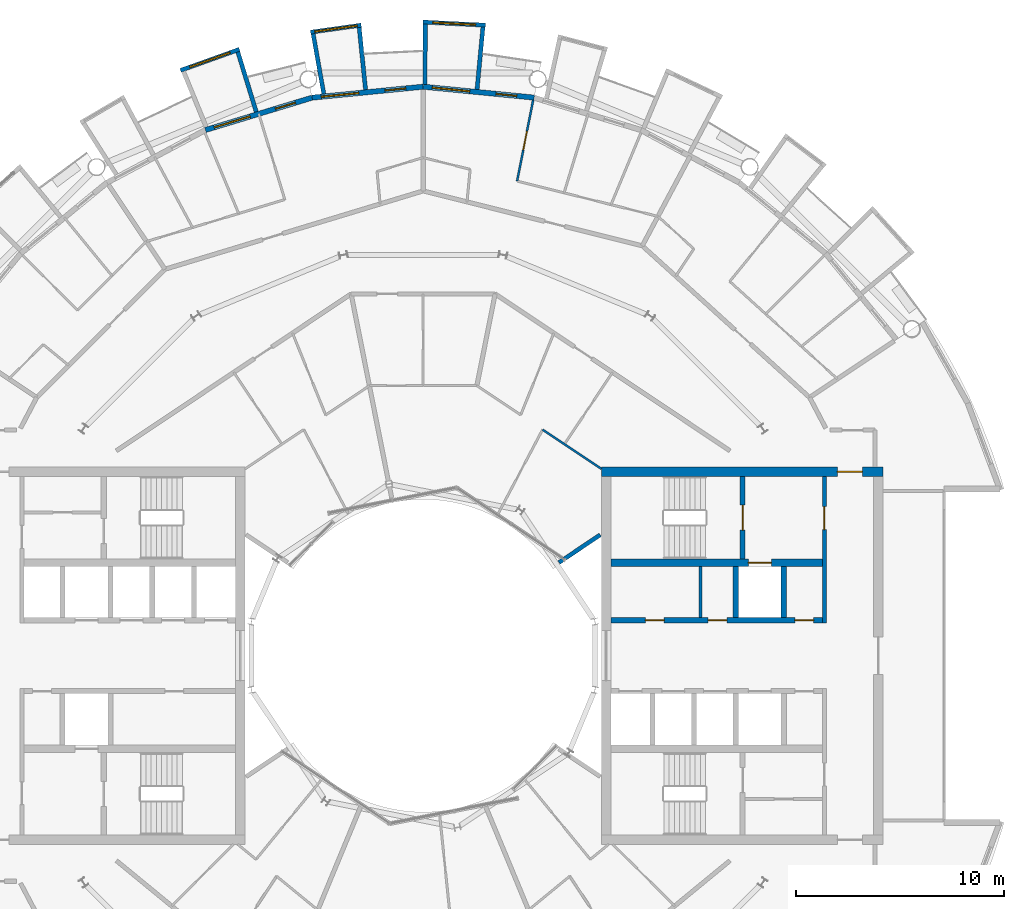
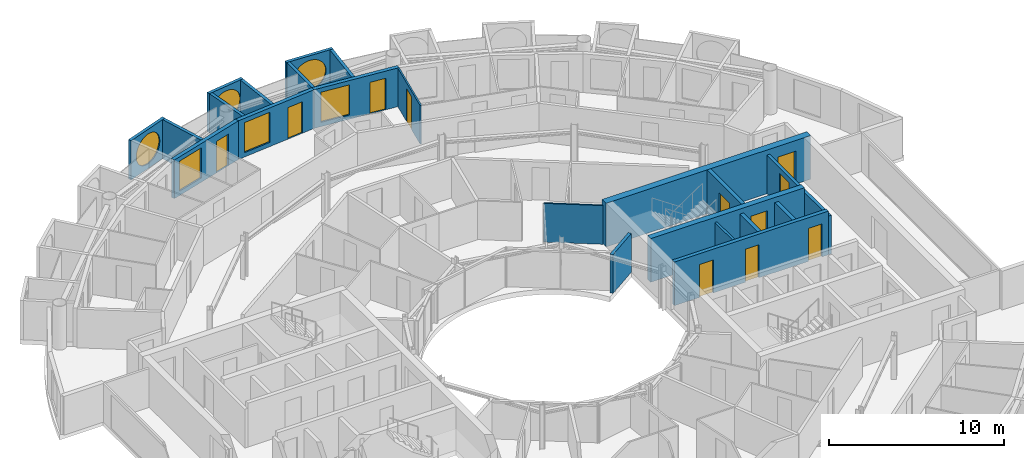
# One storey, part 22 of 28: 22 walls, 11 doors, 6 windows, 17 openings.
"""IFC4 building model written with IfcOpenShell, lengths in metres."""

from ifc_helpers import new_model, si_unit, direction, frame, frame_2d, origin, place, context, subcontext, project, spatial, rectangle, circle, extrude, material, layer, layer_set, type_object, element, fill, save


model = new_model("IFC4")

# Units and contexts
model_context = context("Model", 3, precision=1e-05, world=origin(), true_north=direction((0.0, 1.0)))
body_context = subcontext(model_context, "Body", "Model", "MODEL_VIEW")
ifc_project = project(units=[si_unit("LENGTHUNIT", "METRE"), si_unit("AREAUNIT", "SQUARE_METRE"), si_unit("VOLUMEUNIT", "CUBIC_METRE"), si_unit("PLANEANGLEUNIT", "RADIAN"), si_unit("MASSUNIT", "GRAM", prefix="KILO")], contexts=[model_context])

# Site, building, storey
site_placement = place(None, origin())
site = spatial("IfcSite", under=ifc_project, at=site_placement, CompositionType="ELEMENT")
building_placement = place(site_placement, origin())
building = spatial("IfcBuilding", under=site, at=building_placement, Name="Maasbend Ring Residences", CompositionType="ELEMENT")
storey_placement = place(building_placement, frame((0.0, 0.0, 196.300048828125)))
storey = spatial("IfcBuildingStorey", under=building, at=storey_placement, Name="L56", CompositionType="ELEMENT", Elevation=196.300048828125)

# Wall, openings, doors
ifc_material_1 = material(Name="Concrete C50/60", Category="concrete")
ifc_layer_1 = layer(ifc_material_1, 0.25)
ifc_layer_set_1 = layer_set([ifc_layer_1], Name="Concrete C50/60")
wall_type_1 = type_object("IfcWallType", Name="CORE WALL 250 C50/60", PredefinedType="SHEAR", material=ifc_layer_set_1)
wall_1_placement = place(storey_placement, frame((9.0, 1.699951171875, 0.0), z_axis=(0.0, 0.0, 1.0), x_axis=(1.0, 0.0, 0.0)))
wall_1 = element("IfcWall", 1, at=wall_1_placement, inside=storey, type_object=wall_type_1, Name="L56 core E wall SPN", PredefinedType="SHEAR", context=body_context, shape_type="SweptSolid", body=[
    extrude(rectangle(XDim=10.14990234375, YDim=0.25, at=frame_2d((5.074951171875, 0.0))), origin(), (0.0, 0.0, 1.0), 3.050048828125),
])
opening_1_placement = place(wall_1_placement, frame((1.66259765625, 0.0, 0.0)))
opening_1 = element("IfcOpeningElement", 2, at=opening_1_placement, cuts=wall_1, Name="Opening D-E5606", PredefinedType="OPENING", context=body_context, shape_type="SweptSolid", body=[
    extrude(rectangle(XDim=0.89990234375, YDim=2.300048828125, at=frame_2d((0.449951171875, 1.14990234375))), frame((0.0, 0.135009765625, 0.0), z_axis=(0.0, -1.0, 0.0), x_axis=(1.0, 0.0, 0.0)), (0.0, 0.0, 1.0), 0.27001953125),
])
opening_2_placement = place(wall_1_placement, frame((4.675048828125, 0.0, 0.0)))
opening_2 = element("IfcOpeningElement", 3, at=opening_2_placement, cuts=wall_1, Name="Opening D-E5607", PredefinedType="OPENING", context=body_context, shape_type="SweptSolid", body=[
    extrude(rectangle(XDim=0.89990234375, YDim=2.300048828125, at=frame_2d((0.449951171875, 1.14990234375))), frame((0.0, 0.135009765625, 0.0), z_axis=(0.0, -1.0, 0.0), x_axis=(1.0, 0.0, 0.0)), (0.0, 0.0, 1.0), 0.27001953125),
])
opening_3_placement = place(wall_1_placement, frame((8.83740234375, 0.0, 0.0)))
opening_3 = element("IfcOpeningElement", 4, at=opening_3_placement, cuts=wall_1, Name="Opening D-E5608", PredefinedType="OPENING", context=body_context, shape_type="SweptSolid", body=[
    extrude(rectangle(XDim=0.89990234375, YDim=2.300048828125, at=frame_2d((0.449951171875, 1.14990234375))), frame((0.0, 0.135009765625, 0.0), z_axis=(0.0, -1.0, 0.0), x_axis=(1.0, 0.0, 0.0)), (0.0, 0.0, 1.0), 0.27001953125),
])
ifc_material_2 = material(Name="Steel, powder coated", Category="steel")
door_type_1 = type_object("IfcDoorType", Name="ROOM DOOR 900 X 2300 FD30S", OperationType="NOTDEFINED", PredefinedType="DOOR", material=ifc_material_2)
door_1_placement = place(opening_1_placement, origin())
door_1 = element("IfcDoor", 5, at=door_1_placement, inside=storey, type_object=door_type_1, Name="Room door L56", OperationType="SINGLE_SWING_RIGHT", OverallHeight=2.300048828125, OverallWidth=0.89990234375, PredefinedType="DOOR", context=body_context, shape_type="SweptSolid", body=[
    extrude(rectangle(XDim=0.89990234375, YDim=2.300048828125, at=frame_2d((0.449951171875, 1.14990234375))), frame((0.0, 0.02490234375, 0.0), z_axis=(0.0, -1.0, 0.0), x_axis=(1.0, 0.0, 0.0)), (0.0, 0.0, 1.0), 0.050048828125),
])
fill(opening_1, door_1)
door_2_placement = place(opening_2_placement, origin())
door_2 = element("IfcDoor", 6, at=door_2_placement, inside=storey, type_object=door_type_1, Name="Room door L56", OperationType="SINGLE_SWING_LEFT", OverallHeight=2.300048828125, OverallWidth=0.89990234375, PredefinedType="DOOR", context=body_context, shape_type="SweptSolid", body=[
    extrude(rectangle(XDim=0.89990234375, YDim=2.300048828125, at=frame_2d((0.449951171875, 1.14990234375))), frame((0.0, 0.02490234375, 0.0), z_axis=(0.0, -1.0, 0.0), x_axis=(1.0, 0.0, 0.0)), (0.0, 0.0, 1.0), 0.050048828125),
])
fill(opening_2, door_2)
door_3_placement = place(opening_3_placement, origin())
door_3 = element("IfcDoor", 7, at=door_3_placement, inside=storey, type_object=door_type_1, Name="Room door L56", OperationType="SINGLE_SWING_LEFT", OverallHeight=2.300048828125, OverallWidth=0.89990234375, PredefinedType="DOOR", context=body_context, shape_type="SweptSolid", body=[
    extrude(rectangle(XDim=0.89990234375, YDim=2.300048828125, at=frame_2d((0.449951171875, 1.14990234375))), frame((0.0, 0.02490234375, 0.0), z_axis=(0.0, -1.0, 0.0), x_axis=(1.0, 0.0, 0.0)), (0.0, 0.0, 1.0), 0.050048828125),
])
fill(opening_3, door_3)

# Wall, opening, door
wall_2_placement = place(storey_placement, frame((15.324951171875, 4.64990234375, 0.0), z_axis=(0.0, 0.0, 1.0), x_axis=(0.0, 1.0, 0.0)))
wall_2 = element("IfcWall", 8, at=wall_2_placement, inside=storey, type_object=wall_type_1, Name="L56 core E wall STEN", PredefinedType="SHEAR", context=body_context, shape_type="SweptSolid", body=[
    extrude(rectangle(XDim=3.9501953125, YDim=0.25, at=frame_2d((1.97509765625, 0.0))), origin(), (0.0, 0.0, 1.0), 3.050048828125),
])
opening_4_placement = place(wall_2_placement, frame((1.375, 0.0, 0.0)))
opening_4 = element("IfcOpeningElement", 9, at=opening_4_placement, cuts=wall_2, Name="Opening D-E5611", PredefinedType="OPENING", context=body_context, shape_type="SweptSolid", body=[
    extrude(rectangle(XDim=1.199951171875, YDim=2.300048828125, at=frame_2d((0.60009765625, 1.14990234375))), frame((0.0, 0.135009765625, 0.0), z_axis=(0.0, -1.0, 0.0), x_axis=(1.0, 0.0, 0.0)), (0.0, 0.0, 1.0), 0.27001953125),
])
ifc_material_3 = material(Name="Steel, powder coated", Category="steel")
door_type_2 = type_object("IfcDoorType", Name="STAIR DOOR 1200 X 2300 FD60", OperationType="NOTDEFINED", PredefinedType="DOOR", material=ifc_material_3)
door_4_placement = place(opening_4_placement, origin())
door_4 = element("IfcDoor", 10, at=door_4_placement, inside=storey, type_object=door_type_2, Name="Stair door ST-E L56", OperationType="SINGLE_SWING_LEFT", OverallHeight=2.300048828125, OverallWidth=1.199951171875, PredefinedType="DOOR", context=body_context, shape_type="SweptSolid", body=[
    extrude(rectangle(XDim=1.199951171875, YDim=2.300048828125, at=frame_2d((0.60009765625, 1.14990234375))), frame((0.0, 0.02490234375, 0.0), z_axis=(0.0, -1.0, 0.0), x_axis=(1.0, 0.0, 0.0)), (0.0, 0.0, 1.0), 0.050048828125),
])
fill(opening_4, door_4)

ifc_material_4 = material(Name="Concrete C50/60", Category="concrete")
ifc_layer_2 = layer(ifc_material_4, 0.375)
ifc_layer_set_2 = layer_set([ifc_layer_2], Name="Concrete C50/60")
wall_type_2 = type_object("IfcWallType", Name="CORE WALL 375 C50/60", PredefinedType="SHEAR", material=ifc_layer_set_2)
wall_3_placement = place(storey_placement, frame((9.0, 4.46240234375, 0.0), z_axis=(0.0, 0.0, 1.0), x_axis=(1.0, 0.0, 0.0)))
wall_3 = element("IfcWall", 11, at=wall_3_placement, inside=storey, type_object=wall_type_2, Name="L56 core E wall BN", PredefinedType="SHEAR", context=body_context, shape_type="SweptSolid", body=[
    extrude(rectangle(XDim=10.14990234375, YDim=0.375, at=frame_2d((5.074951171875, 0.0))), origin(), (0.0, 0.0, 1.0), 3.050048828125),
])
opening_5_placement = place(wall_3_placement, frame((6.60009765625, 0.0, 0.0)))
opening_5 = element("IfcOpeningElement", 12, at=opening_5_placement, cuts=wall_3, Name="Opening LD-E5601", PredefinedType="OPENING", context=body_context, shape_type="SweptSolid", body=[
    extrude(rectangle(XDim=1.10009765625, YDim=2.300048828125, at=frame_2d((0.550048828125, 1.14990234375))), frame((0.0, 0.197509765625, 0.0), z_axis=(0.0, -1.0, 0.0), x_axis=(1.0, 0.0, 0.0)), (0.0, 0.0, 1.0), 0.39501953125),
])
ifc_material_5 = material(Name="Stainless steel 316", Category="steel")
door_type_3 = type_object("IfcDoorType", Name="LANDING DOOR 1100 X 2300 FD60", OperationType="DOUBLE_DOOR_SLIDING", PredefinedType="DOOR", material=ifc_material_5)
door_5_placement = place(opening_5_placement, origin())
door_5 = element("IfcDoor", 13, at=door_5_placement, inside=storey, type_object=door_type_3, Name="Landing door FF-E L56", OperationType="DOUBLE_DOOR_SLIDING", OverallHeight=2.300048828125, OverallWidth=1.10009765625, PredefinedType="DOOR", context=body_context, shape_type="SweptSolid", body=[
    extrude(rectangle(XDim=1.10009765625, YDim=2.300048828125, at=frame_2d((0.550048828125, 1.14990234375))), frame((0.0, 0.02490234375, 0.0), z_axis=(0.0, -1.0, 0.0), x_axis=(1.0, 0.0, 0.0)), (0.0, 0.0, 1.0), 0.050048828125),
])
fill(opening_5, door_5)

ifc_material_6 = material(Name="Concrete C50/60", Category="concrete")
ifc_layer_3 = layer(ifc_material_6, 0.449951171875)
ifc_layer_set_3 = layer_set([ifc_layer_3], Name="Concrete C50/60")
wall_type_3 = type_object("IfcWallType", Name="CORE WALL 450 C50/60", PredefinedType="SHEAR", material=ifc_layer_set_3)
wall_4_placement = place(storey_placement, frame((22.050048828125, 8.824951171875, 0.0), z_axis=(0.0, 0.0, 1.0), x_axis=(-1.0, 0.0, 0.0)))
wall_4 = element("IfcWall", 14, at=wall_4_placement, inside=storey, type_object=wall_type_3, Name="L56 core E wall PN", PredefinedType="SHEAR", context=body_context, shape_type="SweptSolid", body=[
    extrude(rectangle(XDim=13.5, YDim=0.449951171875, at=frame_2d((6.75, 0.0))), origin(), (0.0, 0.0, 1.0), 3.050048828125),
])
opening_6_placement = place(wall_4_placement, frame((0.97509765625, 0.0, 0.0)))
opening_6 = element("IfcOpeningElement", 15, at=opening_6_placement, cuts=wall_4, Name="Opening D-E5615", PredefinedType="OPENING", context=body_context, shape_type="SweptSolid", body=[
    extrude(rectangle(XDim=1.199951171875, YDim=2.300048828125, at=frame_2d((0.60009765625, 1.14990234375))), frame((0.0, 0.23486328125, 0.0), z_axis=(0.0, -1.0, 0.0), x_axis=(1.0, 0.0, 0.0)), (0.0, 0.0, 1.0), 0.469970703125),
])
ifc_material_7 = material(Name="Steel, powder coated", Category="steel")
door_type_4 = type_object("IfcDoorType", Name="CORRIDOR DOOR 1200 X 2300 FD30S", OperationType="NOTDEFINED", PredefinedType="DOOR", material=ifc_material_7)
door_6_placement = place(opening_6_placement, origin())
door_6 = element("IfcDoor", 16, at=door_6_placement, inside=storey, type_object=door_type_4, Name="Corridor door L56", OperationType="SINGLE_SWING_RIGHT", OverallHeight=2.300048828125, OverallWidth=1.199951171875, PredefinedType="DOOR", context=body_context, shape_type="SweptSolid", body=[
    extrude(rectangle(XDim=1.199951171875, YDim=2.300048828125, at=frame_2d((0.60009765625, 1.14990234375))), frame((0.0, 0.02490234375, 0.0), z_axis=(0.0, -1.0, 0.0), x_axis=(1.0, 0.0, 0.0)), (0.0, 0.0, 1.0), 0.050048828125),
])
fill(opening_6, door_6)

# Wall, opening, window
ifc_material_8 = material(Name="Pale anodised aluminium panel", Category="aluminium")
ifc_layer_4 = layer(ifc_material_8, 0.199951171875)
ifc_layer_set_4 = layer_set([ifc_layer_4], Name="EW-BOX")
wall_type_4 = type_object("IfcWallType", Name="EW-BOX", PredefinedType="SOLIDWALL", material=ifc_layer_set_4)
wall_5_placement = place(storey_placement, frame((2.985107421875, 30.2529296875, -0.030029296875), z_axis=(0.0, 0.0, 1.0), x_axis=(-0.998794083011, 0.049095618353, 0.0)))
wall_5 = element("IfcWall", 17, at=wall_5_placement, inside=storey, type_object=wall_type_4, Name="Box front N10", PredefinedType="SOLIDWALL", context=body_context, shape_type="SweptSolid", body=[
    extrude(rectangle(XDim=2.99365234375, YDim=0.199951171875, at=frame_2d((1.496826171875, 0.0))), origin(), (0.0, 0.0, 1.0), 2.72998046875),
])
opening_7_placement = place(wall_5_placement, frame((0.45654296875, 0.0, 0.330078125)))
opening_7 = element("IfcOpeningElement", 18, at=opening_7_placement, cuts=wall_5, Name="Opening W-RD", PredefinedType="OPENING", context=body_context, shape_type="SweptSolid", body=[
    extrude(circle(Radius=1.0400390625, at=frame_2d((1.0400390625, 1.0400390625))), frame((0.0, 0.10986328125, 0.0), z_axis=(0.0, -1.0, 0.0), x_axis=(1.0, 0.0, 0.0)), (0.0, 0.0, 1.0), 0.219970703125),
])
ifc_material_9 = material(Name="Aluminium and clear glass", Category="aluminium")
window_type_1 = type_object("IfcWindowType", Name="W-RD", PartitioningType="SINGLE_PANEL", PredefinedType="WINDOW", material=ifc_material_9)
window_1_placement = place(opening_7_placement, origin())
window_1 = element("IfcWindow", 19, at=window_1_placement, inside=storey, type_object=window_type_1, Name="Round window N10", OverallHeight=2.080078125, OverallWidth=2.080078125, PartitioningType="SINGLE_PANEL", PredefinedType="WINDOW", context=body_context, shape_type="SweptSolid", body=[
    extrude(circle(Radius=1.0400390625, at=frame_2d((1.0400390625, 1.0400390625))), frame((0.0, 0.030029296875, 0.0), z_axis=(0.0, -1.0, 0.0), x_axis=(1.0, 0.0, 0.0)), (0.0, 0.0, 1.0), 0.06005859375),
])
fill(opening_7, window_1)

# Walls
wall_6_placement = place(storey_placement, frame((2.5859375, 27.1708984375, -0.030029296875), z_axis=(0.0, 0.0, 1.0), x_axis=(0.094548432284, 0.995520262954, 0.0)))
element("IfcWall", 20, at=wall_6_placement, inside=storey, type_object=wall_type_4, Name="Box side wall N10 left", PredefinedType="SOLIDWALL", context=body_context, shape_type="SweptSolid", body=[
    extrude(rectangle(XDim=3.005615234375, YDim=0.199951171875, at=frame_2d((1.5029296875, 0.0))), origin(), (0.0, 0.0, 1.0), 2.72998046875),
])
wall_7_placement = place(storey_placement, frame((0.090087890625, 27.4169921875, -0.030029296875), z_axis=(0.0, 0.0, 1.0), x_axis=(0.00347308367, 0.999993968827, 0.0)))
element("IfcWall", 21, at=wall_7_placement, inside=storey, type_object=wall_type_4, Name="Box side wall N10 right", PredefinedType="SOLIDWALL", context=body_context, shape_type="SweptSolid", body=[
    extrude(rectangle(XDim=2.882080078125, YDim=0.199951171875, at=frame_2d((1.44091796875, 0.0))), origin(), (0.0, 0.0, 1.0), 2.72998046875),
])

# Wall, opening, window
wall_8_placement = place(storey_placement, frame((-2.97607421875, 30.25390625, -0.030029296875), z_axis=(0.0, 0.0, 1.0), x_axis=(-0.990462016113, -0.137786046596, 0.0)))
wall_8 = element("IfcWall", 22, at=wall_8_placement, inside=storey, type_object=wall_type_4, Name="Box front N12", PredefinedType="SOLIDWALL", context=body_context, shape_type="SweptSolid", body=[
    extrude(rectangle(XDim=2.4453125, YDim=0.199951171875, at=frame_2d((1.22265625, 0.0))), origin(), (0.0, 0.0, 1.0), 2.72998046875),
])
opening_8_placement = place(wall_8_placement, frame((0.182861328125, 0.0, 0.330078125)))
opening_8 = element("IfcOpeningElement", 23, at=opening_8_placement, cuts=wall_8, Name="Opening W-RD", PredefinedType="OPENING", context=body_context, shape_type="SweptSolid", body=[
    extrude(circle(Radius=1.0400390625, at=frame_2d((1.0400390625, 1.0400390625))), frame((0.0, 0.10986328125, 0.0), z_axis=(0.0, -1.0, 0.0), x_axis=(1.0, 0.0, 0.0)), (0.0, 0.0, 1.0), 0.219970703125),
])
window_2_placement = place(opening_8_placement, origin())
window_2 = element("IfcWindow", 24, at=window_2_placement, inside=storey, type_object=window_type_1, Name="Round window N12", OverallHeight=2.080078125, OverallWidth=2.080078125, PartitioningType="SINGLE_PANEL", PredefinedType="WINDOW", context=body_context, shape_type="SweptSolid", body=[
    extrude(circle(Radius=1.0400390625, at=frame_2d((1.0400390625, 1.0400390625))), frame((0.0, 0.030029296875, 0.0), z_axis=(0.0, -1.0, 0.0), x_axis=(1.0, 0.0, 0.0)), (0.0, 0.0, 1.0), 0.06005859375),
])
fill(opening_8, window_2)

# Walls
wall_9_placement = place(storey_placement, frame((-2.763916015625, 27.153076171875, -0.030029296875), z_axis=(0.0, 0.0, 1.0), x_axis=(-0.101505487237, 0.994834979311, 0.0)))
element("IfcWall", 25, at=wall_9_placement, inside=storey, type_object=wall_type_4, Name="Box side wall N12 left", PredefinedType="SOLIDWALL", context=body_context, shape_type="SweptSolid", body=[
    extrude(rectangle(XDim=3.006591796875, YDim=0.199951171875, at=frame_2d((1.50341796875, 0.0))), origin(), (0.0, 0.0, 1.0), 2.72998046875),
])
wall_10_placement = place(storey_placement, frame((-4.76904296875, 26.9560546875, -0.030029296875), z_axis=(0.0, 0.0, 1.0), x_axis=(-0.174056778901, 0.984735618183, 0.0)))
element("IfcWall", 26, at=wall_10_placement, inside=storey, type_object=wall_type_4, Name="Box side wall N12 right", PredefinedType="SOLIDWALL", context=body_context, shape_type="SweptSolid", body=[
    extrude(rectangle(XDim=2.924560546875, YDim=0.199951171875, at=frame_2d((1.46240234375, 0.0))), origin(), (0.0, 0.0, 1.0), 2.72998046875),
])

# Wall, opening, window
wall_11_placement = place(storey_placement, frame((-8.820068359375, 29.093017578125, -0.030029296875), z_axis=(0.0, 0.0, 1.0), x_axis=(-0.941461077774, -0.337121697664, 0.0)))
wall_11 = element("IfcWall", 27, at=wall_11_placement, inside=storey, type_object=wall_type_4, Name="Box front N14", PredefinedType="SOLIDWALL", context=body_context, shape_type="SweptSolid", body=[
    extrude(rectangle(XDim=2.9931640625, YDim=0.199951171875, at=frame_2d((1.49658203125, 0.0))), origin(), (0.0, 0.0, 1.0), 2.72998046875),
])
opening_9_placement = place(wall_11_placement, frame((0.45654296875, 0.0, 0.330078125)))
opening_9 = element("IfcOpeningElement", 28, at=opening_9_placement, cuts=wall_11, Name="Opening W-RD", PredefinedType="OPENING", context=body_context, shape_type="SweptSolid", body=[
    extrude(circle(Radius=1.0400390625, at=frame_2d((1.0400390625, 1.0400390625))), frame((0.0, 0.10986328125, 0.0), z_axis=(0.0, -1.0, 0.0), x_axis=(1.0, 0.0, 0.0)), (0.0, 0.0, 1.0), 0.219970703125),
])
window_3_placement = place(opening_9_placement, origin())
window_3 = element("IfcWindow", 29, at=window_3_placement, inside=storey, type_object=window_type_1, Name="Round window N14", OverallHeight=2.080078125, OverallWidth=2.080078125, PartitioningType="SINGLE_PANEL", PredefinedType="WINDOW", context=body_context, shape_type="SweptSolid", body=[
    extrude(circle(Radius=1.0400390625, at=frame_2d((1.0400390625, 1.0400390625))), frame((0.0, 0.030029296875, 0.0), z_axis=(0.0, -1.0, 0.0), x_axis=(1.0, 0.0, 0.0)), (0.0, 0.0, 1.0), 0.06005859375),
])
fill(opening_9, window_3)

# Wall
wall_12_placement = place(storey_placement, frame((-8.009033203125, 26.092041015625, -0.030029296875), z_axis=(0.0, 0.0, 1.0), x_axis=(-0.293406695073, 0.955987715029, 0.0)))
element("IfcWall", 30, at=wall_12_placement, inside=storey, type_object=wall_type_4, Name="Box side wall N14 left", PredefinedType="SOLIDWALL", context=body_context, shape_type="SweptSolid", body=[
    extrude(rectangle(XDim=3.00634765625, YDim=0.199951171875, at=frame_2d((1.503173828125, 0.0))), origin(), (0.0, 0.0, 1.0), 2.72998046875),
])

# Wall, openings, door, window
ifc_material_10 = material(Name="Aluminium clad insulated panel", Category="aluminium")
ifc_layer_5 = layer(ifc_material_10, 0.25)
ifc_layer_set_5 = layer_set([ifc_layer_5], Name="EW-GL")
wall_type_5 = type_object("IfcWallType", Name="EW-GL", PredefinedType="SOLIDWALL", material=ifc_layer_set_5)
wall_13_placement = place(storey_placement, frame((5.325927734375, 26.77490234375, 0.0), z_axis=(0.0, 0.0, 1.0), x_axis=(-0.995173996315, 0.098126026407, 0.0)))
wall_13 = element("IfcWall", 31, at=wall_13_placement, inside=storey, type_object=wall_type_5, Name="External wall N05", PredefinedType="SOLIDWALL", context=body_context, shape_type="SweptSolid", body=[
    extrude(rectangle(XDim=5.351806640625, YDim=0.25, at=frame_2d((2.67578125, 0.0))), origin(), (0.0, 0.0, 1.0), 2.699951171875),
])
opening_10_placement = place(wall_13_placement, frame((0.841064453125, 0.0, 0.0)))
opening_10 = element("IfcOpeningElement", 32, at=opening_10_placement, cuts=wall_13, Name="Opening D-LG", PredefinedType="OPENING", context=body_context, shape_type="SweptSolid", body=[
    extrude(rectangle(XDim=1.0, YDim=2.199951171875, at=frame_2d((0.5, 1.10009765625))), frame((0.0, 0.135009765625, 0.0), z_axis=(0.0, -1.0, 0.0), x_axis=(1.0, 0.0, 0.0)), (0.0, 0.0, 1.0), 0.27001953125),
])
opening_11_placement = place(wall_13_placement, frame((3.110595703125, 0.0, 0.300048828125)))
opening_11 = element("IfcOpeningElement", 33, at=opening_11_placement, cuts=wall_13, Name="Opening W-BX", PredefinedType="OPENING", context=body_context, shape_type="SweptSolid", body=[
    extrude(rectangle(XDim=1.800048828125, YDim=2.10009765625, at=frame_2d((0.89990234375, 1.050048828125))), frame((0.0, 0.135009765625, 0.0), z_axis=(0.0, -1.0, 0.0), x_axis=(1.0, 0.0, 0.0)), (0.0, 0.0, 1.0), 0.27001953125),
])
ifc_material_11 = material(Name="Aluminium and clear glass", Category="aluminium")
door_type_5 = type_object("IfcDoorType", Name="D-LG", OperationType="SINGLE_SWING_LEFT", PredefinedType="DOOR", material=ifc_material_11)
door_7_placement = place(opening_10_placement, origin())
door_7 = element("IfcDoor", 34, at=door_7_placement, inside=storey, type_object=door_type_5, Name="Loggia door N09", OperationType="SINGLE_SWING_LEFT", OverallHeight=2.199951171875, OverallWidth=1.0, PredefinedType="DOOR", context=body_context, shape_type="SweptSolid", body=[
    extrude(rectangle(XDim=1.0, YDim=2.199951171875, at=frame_2d((0.5, 1.10009765625))), frame((0.0, 0.02490234375, 0.0), z_axis=(0.0, -1.0, 0.0), x_axis=(1.0, 0.0, 0.0)), (0.0, 0.0, 1.0), 0.050048828125),
])
fill(opening_10, door_7)
ifc_material_12 = material(Name="Aluminium and clear glass", Category="aluminium")
window_type_2 = type_object("IfcWindowType", Name="W-BX", PartitioningType="DOUBLE_PANEL_VERTICAL", PredefinedType="WINDOW", material=ifc_material_12)
window_4_placement = place(opening_11_placement, origin())
window_4 = element("IfcWindow", 35, at=window_4_placement, inside=storey, type_object=window_type_2, Name="Window N10 room to box", OverallHeight=2.10009765625, OverallWidth=1.800048828125, PartitioningType="SINGLE_PANEL", PredefinedType="WINDOW", context=body_context, shape_type="SweptSolid", body=[
    extrude(rectangle(XDim=1.800048828125, YDim=2.10009765625, at=frame_2d((0.89990234375, 1.050048828125))), frame((0.0, 0.030029296875, 0.0), z_axis=(0.0, -1.0, 0.0), x_axis=(1.0, 0.0, 0.0)), (0.0, 0.0, 1.0), 0.06005859375),
])
fill(opening_11, window_4)

wall_14_placement = place(storey_placement, frame((0.0, 27.300048828125, 0.0), z_axis=(0.0, 0.0, 1.0), x_axis=(-0.995173996315, -0.098126026407, 0.0)))
wall_14 = element("IfcWall", 36, at=wall_14_placement, inside=storey, type_object=wall_type_5, Name="External wall N06", PredefinedType="SOLIDWALL", context=body_context, shape_type="SweptSolid", body=[
    extrude(rectangle(XDim=5.351806640625, YDim=0.25, at=frame_2d((2.67578125, 0.0))), origin(), (0.0, 0.0, 1.0), 2.699951171875),
])
opening_12_placement = place(wall_14_placement, frame((0.841064453125, 0.0, 0.0)))
opening_12 = element("IfcOpeningElement", 37, at=opening_12_placement, cuts=wall_14, Name="Opening D-LG", PredefinedType="OPENING", context=body_context, shape_type="SweptSolid", body=[
    extrude(rectangle(XDim=1.0, YDim=2.199951171875, at=frame_2d((0.5, 1.10009765625))), frame((0.0, 0.135009765625, 0.0), z_axis=(0.0, -1.0, 0.0), x_axis=(1.0, 0.0, 0.0)), (0.0, 0.0, 1.0), 0.27001953125),
])
opening_13_placement = place(wall_14_placement, frame((3.110595703125, 0.0, 0.300048828125)))
opening_13 = element("IfcOpeningElement", 38, at=opening_13_placement, cuts=wall_14, Name="Opening W-BX", PredefinedType="OPENING", context=body_context, shape_type="SweptSolid", body=[
    extrude(rectangle(XDim=1.800048828125, YDim=2.10009765625, at=frame_2d((0.89990234375, 1.050048828125))), frame((0.0, 0.135009765625, 0.0), z_axis=(0.0, -1.0, 0.0), x_axis=(1.0, 0.0, 0.0)), (0.0, 0.0, 1.0), 0.27001953125),
])
door_8_placement = place(opening_12_placement, origin())
door_8 = element("IfcDoor", 39, at=door_8_placement, inside=storey, type_object=door_type_5, Name="Loggia door N11", OperationType="SINGLE_SWING_LEFT", OverallHeight=2.199951171875, OverallWidth=1.0, PredefinedType="DOOR", context=body_context, shape_type="SweptSolid", body=[
    extrude(rectangle(XDim=1.0, YDim=2.199951171875, at=frame_2d((0.5, 1.10009765625))), frame((0.0, 0.02490234375, 0.0), z_axis=(0.0, -1.0, 0.0), x_axis=(1.0, 0.0, 0.0)), (0.0, 0.0, 1.0), 0.050048828125),
])
fill(opening_12, door_8)
window_5_placement = place(opening_13_placement, origin())
window_5 = element("IfcWindow", 40, at=window_5_placement, inside=storey, type_object=window_type_2, Name="Window N12 room to box", OverallHeight=2.10009765625, OverallWidth=1.800048828125, PartitioningType="SINGLE_PANEL", PredefinedType="WINDOW", context=body_context, shape_type="SweptSolid", body=[
    extrude(rectangle(XDim=1.800048828125, YDim=2.10009765625, at=frame_2d((0.89990234375, 1.050048828125))), frame((0.0, 0.030029296875, 0.0), z_axis=(0.0, -1.0, 0.0), x_axis=(1.0, 0.0, 0.0)), (0.0, 0.0, 1.0), 0.06005859375),
])
fill(opening_13, window_5)

wall_15_placement = place(storey_placement, frame((-5.325927734375, 26.77490234375, 0.0), z_axis=(0.0, 0.0, 1.0), x_axis=(-0.956965678721, -0.290201119486, 0.0)))
wall_15 = element("IfcWall", 41, at=wall_15_placement, inside=storey, type_object=wall_type_5, Name="External wall N07", PredefinedType="SOLIDWALL", context=body_context, shape_type="SweptSolid", body=[
    extrude(rectangle(XDim=5.351318359375, YDim=0.25, at=frame_2d((2.67578125, 0.0))), origin(), (0.0, 0.0, 1.0), 2.699951171875),
])
opening_14_placement = place(wall_15_placement, frame((0.841064453125, 0.0, 0.0)))
opening_14 = element("IfcOpeningElement", 42, at=opening_14_placement, cuts=wall_15, Name="Opening D-LG", PredefinedType="OPENING", context=body_context, shape_type="SweptSolid", body=[
    extrude(rectangle(XDim=1.0, YDim=2.199951171875, at=frame_2d((0.5, 1.10009765625))), frame((0.0, 0.135009765625, 0.0), z_axis=(0.0, -1.0, 0.0), x_axis=(1.0, 0.0, 0.0)), (0.0, 0.0, 1.0), 0.27001953125),
])
opening_15_placement = place(wall_15_placement, frame((3.110595703125, 0.0, 0.300048828125)))
opening_15 = element("IfcOpeningElement", 43, at=opening_15_placement, cuts=wall_15, Name="Opening W-BX", PredefinedType="OPENING", context=body_context, shape_type="SweptSolid", body=[
    extrude(rectangle(XDim=1.800048828125, YDim=2.10009765625, at=frame_2d((0.89990234375, 1.050048828125))), frame((0.0, 0.135009765625, 0.0), z_axis=(0.0, -1.0, 0.0), x_axis=(1.0, 0.0, 0.0)), (0.0, 0.0, 1.0), 0.27001953125),
])
door_9_placement = place(opening_14_placement, origin())
door_9 = element("IfcDoor", 44, at=door_9_placement, inside=storey, type_object=door_type_5, Name="Loggia door N13", OperationType="SINGLE_SWING_LEFT", OverallHeight=2.199951171875, OverallWidth=1.0, PredefinedType="DOOR", context=body_context, shape_type="SweptSolid", body=[
    extrude(rectangle(XDim=1.0, YDim=2.199951171875, at=frame_2d((0.5, 1.10009765625))), frame((0.0, 0.02490234375, 0.0), z_axis=(0.0, -1.0, 0.0), x_axis=(1.0, 0.0, 0.0)), (0.0, 0.0, 1.0), 0.050048828125),
])
fill(opening_14, door_9)
window_6_placement = place(opening_15_placement, origin())
window_6 = element("IfcWindow", 45, at=window_6_placement, inside=storey, type_object=window_type_2, Name="Window N14 room to box", OverallHeight=2.10009765625, OverallWidth=1.800048828125, PartitioningType="SINGLE_PANEL", PredefinedType="WINDOW", context=body_context, shape_type="SweptSolid", body=[
    extrude(rectangle(XDim=1.800048828125, YDim=2.10009765625, at=frame_2d((0.89990234375, 1.050048828125))), frame((0.0, 0.030029296875, 0.0), z_axis=(0.0, -1.0, 0.0), x_axis=(1.0, 0.0, 0.0)), (0.0, 0.0, 1.0), 0.06005859375),
])
fill(opening_15, window_6)

# Wall, opening, door
ifc_material_13 = material(Name="Gypsum board on steel studs", Category="steel")
ifc_layer_6 = layer(ifc_material_13, 0.10009765625)
ifc_layer_set_6 = layer_set([ifc_layer_6], Name="PARTITION 100 GYPSUM")
wall_type_6 = type_object("IfcWallType", Name="PARTITION 100 GYPSUM", PredefinedType="PARTITIONING", material=ifc_layer_set_6)
wall_16_placement = place(storey_placement, frame((4.507080078125, 22.77099609375, 0.0), z_axis=(0.0, 0.0, 1.0), x_axis=(0.194030211642, 0.980995554001, 0.0)))
wall_16 = element("IfcWall", 46, at=wall_16_placement, inside=storey, type_object=wall_type_6, Name="U-L56-w068", PredefinedType="PARTITIONING", context=body_context, shape_type="SweptSolid", body=[
    extrude(rectangle(XDim=3.962158203125, YDim=0.10009765625, at=frame_2d((1.98095703125, 0.0))), origin(), (0.0, 0.0, 1.0), 2.699951171875),
])
opening_16_placement = place(wall_16_placement, frame((1.531005859375, 0.0, 0.0)))
opening_16 = element("IfcOpeningElement", 47, at=opening_16_placement, cuts=wall_16, Name="Opening D-5608", PredefinedType="OPENING", context=body_context, shape_type="SweptSolid", body=[
    extrude(rectangle(XDim=0.89990234375, YDim=2.300048828125, at=frame_2d((0.449951171875, 1.14990234375))), frame((0.0, 0.06005859375, 0.0), z_axis=(0.0, -1.0, 0.0), x_axis=(1.0, 0.0, 0.0)), (0.0, 0.0, 1.0), 0.1201171875),
])
ifc_material_14 = material(Name="Timber, painted", Category="wood")
door_type_6 = type_object("IfcDoorType", Name="INTERNAL DOOR 900 X 2300", OperationType="NOTDEFINED", PredefinedType="DOOR", material=ifc_material_14)
door_10_placement = place(opening_16_placement, origin())
door_10 = element("IfcDoor", 48, at=door_10_placement, inside=storey, type_object=door_type_6, Name="D-5608", OperationType="SINGLE_SWING_RIGHT", OverallHeight=2.300048828125, OverallWidth=0.89990234375, PredefinedType="DOOR", context=body_context, shape_type="SweptSolid", body=[
    extrude(rectangle(XDim=0.89990234375, YDim=2.300048828125, at=frame_2d((0.449951171875, 1.14990234375))), frame((0.0, 0.02490234375, 0.0), z_axis=(0.0, -1.0, 0.0), x_axis=(1.0, 0.0, 0.0)), (0.0, 0.0, 1.0), 0.050048828125),
])
fill(opening_16, door_10)

# Walls
wall_17_placement = place(storey_placement, frame((5.72900390625, 10.84912109375, 0.0), z_axis=(0.0, 0.0, 1.0), x_axis=(0.83129689803, -0.555828631257, 0.0)))
element("IfcWall", 49, at=wall_17_placement, inside=storey, type_object=wall_type_6, Name="U-L56-w097", PredefinedType="PARTITIONING", context=body_context, shape_type="SweptSolid", body=[
    extrude(rectangle(XDim=3.3935546875, YDim=0.10009765625, at=frame_2d((1.69677734375, 0.0))), origin(), (0.0, 0.0, 1.0), 2.699951171875),
])
ifc_material_15 = material(Name="Gypsum board on steel studs", Category="steel")
ifc_layer_7 = layer(ifc_material_15, 0.14990234375)
ifc_layer_set_7 = layer_set([ifc_layer_7], Name="PARTITION 150 EI 60")
wall_type_7 = type_object("IfcWallType", Name="PARTITION 150 EI 60", PredefinedType="PARTITIONING", material=ifc_layer_set_7)
wall_18_placement = place(storey_placement, frame((13.300048828125, 1.824951171875, 0.0), z_axis=(0.0, 0.0, 1.0), x_axis=(0.0, 1.0, 0.0)))
element("IfcWall", 50, at=wall_18_placement, inside=storey, type_object=wall_type_7, Name="L56 core E wall PRN1330", PredefinedType="PARTITIONING", context=body_context, shape_type="SweptSolid", body=[
    extrude(rectangle(XDim=2.449951171875, YDim=0.14990234375, at=frame_2d((1.22509765625, 0.0))), origin(), (0.0, 0.0, 1.0), 2.699951171875),
])
ifc_material_16 = material(Name="Concrete C30/37", Category="concrete")
ifc_layer_8 = layer(ifc_material_16, 0.199951171875)
ifc_layer_set_8 = layer_set([ifc_layer_8], Name="Concrete C30/37")
wall_type_8 = type_object("IfcWallType", Name="PARTY WALL 200 CONCRETE", PredefinedType="PARTITIONING", material=ifc_layer_set_8)
wall_19_placement = place(storey_placement, frame((6.512939453125, 4.471923828125, 0.0), z_axis=(0.0, 0.0, 1.0), x_axis=(0.831403409976, 0.555669299026, 0.0)))
element("IfcWall", 51, at=wall_19_placement, inside=storey, type_object=wall_type_8, Name="U-L56-w091", PredefinedType="PARTITIONING", context=body_context, shape_type="SweptSolid", body=[
    extrude(rectangle(XDim=2.382568359375, YDim=0.199951171875, at=frame_2d((1.19140625, 0.0))), origin(), (0.0, 0.0, 1.0), 2.699951171875),
])

# Wall, opening, door
ifc_material_17 = material(Name="Concrete C30/37", Category="concrete")
ifc_layer_9 = layer(ifc_material_17, 0.199951171875)
ifc_layer_set_9 = layer_set([ifc_layer_9], Name="Concrete C30/37")
wall_type_9 = type_object("IfcWallType", Name="SHAFT WALL 200 EI 120", PredefinedType="SOLIDWALL", material=ifc_layer_set_9)
wall_20_placement = place(storey_placement, frame((19.25, 1.574951171875, 0.0), z_axis=(0.0, 0.0, 1.0), x_axis=(0.0, 1.0, 0.0)))
wall_20 = element("IfcWall", 52, at=wall_20_placement, inside=storey, type_object=wall_type_9, Name="L56 core E wall ENDN", PredefinedType="SOLIDWALL", context=body_context, shape_type="SweptSolid", body=[
    extrude(rectangle(XDim=7.025146484375, YDim=0.199951171875, at=frame_2d((3.5126953125, 0.0))), origin(), (0.0, 0.0, 1.0), 2.699951171875),
])
opening_17_placement = place(wall_20_placement, frame((4.47509765625, 0.0, 0.0)))
opening_17 = element("IfcOpeningElement", 53, at=opening_17_placement, cuts=wall_20, Name="Opening D-E5613", PredefinedType="OPENING", context=body_context, shape_type="SweptSolid", body=[
    extrude(rectangle(XDim=1.10009765625, YDim=2.300048828125, at=frame_2d((0.550048828125, 1.14990234375))), frame((0.0, 0.10986328125, 0.0), z_axis=(0.0, -1.0, 0.0), x_axis=(1.0, 0.0, 0.0)), (0.0, 0.0, 1.0), 0.219970703125),
])
ifc_material_18 = material(Name="Steel, powder coated", Category="steel")
door_type_7 = type_object("IfcDoorType", Name="LOBBY DOOR 1100 X 2300 FD60", OperationType="NOTDEFINED", PredefinedType="DOOR", material=ifc_material_18)
door_11_placement = place(opening_17_placement, origin())
door_11 = element("IfcDoor", 54, at=door_11_placement, inside=storey, type_object=door_type_7, Name="Lobby door L56", OperationType="SINGLE_SWING_LEFT", OverallHeight=2.300048828125, OverallWidth=1.10009765625, PredefinedType="DOOR", context=body_context, shape_type="SweptSolid", body=[
    extrude(rectangle(XDim=1.10009765625, YDim=2.300048828125, at=frame_2d((0.550048828125, 1.14990234375))), frame((0.0, 0.02490234375, 0.0), z_axis=(0.0, -1.0, 0.0), x_axis=(1.0, 0.0, 0.0)), (0.0, 0.0, 1.0), 0.050048828125),
])
fill(opening_17, door_11)

# Walls
ifc_material_19 = material(Name="Concrete C30/37", Category="concrete")
ifc_layer_10 = layer(ifc_material_19, 0.25)
ifc_layer_set_10 = layer_set([ifc_layer_10], Name="Concrete C30/37")
wall_type_10 = type_object("IfcWallType", Name="SHAFT WALL 250 EI 120", PredefinedType="SOLIDWALL", material=ifc_layer_set_10)
for number, where, z_axis, x_axis, name in (
    (55, (15.0, 1.824951171875, 0.0), (0.0, 0.0, 1.0), (0.0, 1.0, 0.0), "L56 core E wall D150N"),
    (56, (17.300048828125, 1.824951171875, 0.0), (0.0, 0.0, 1.0), (0.0, 1.0, 0.0), "L56 core E wall D173N"),
):
    element("IfcWall", number, at=place(storey_placement, frame(where, z_axis=z_axis, x_axis=x_axis)), inside=storey, type_object=wall_type_10, Name=name, PredefinedType="SOLIDWALL", context=body_context, shape_type="SweptSolid", body=[
        extrude(rectangle(XDim=2.449951171875, YDim=0.25, at=frame_2d((1.22509765625, 0.0))), origin(), (0.0, 0.0, 1.0), 2.699951171875),
    ])

save(model, "model.ifc")
